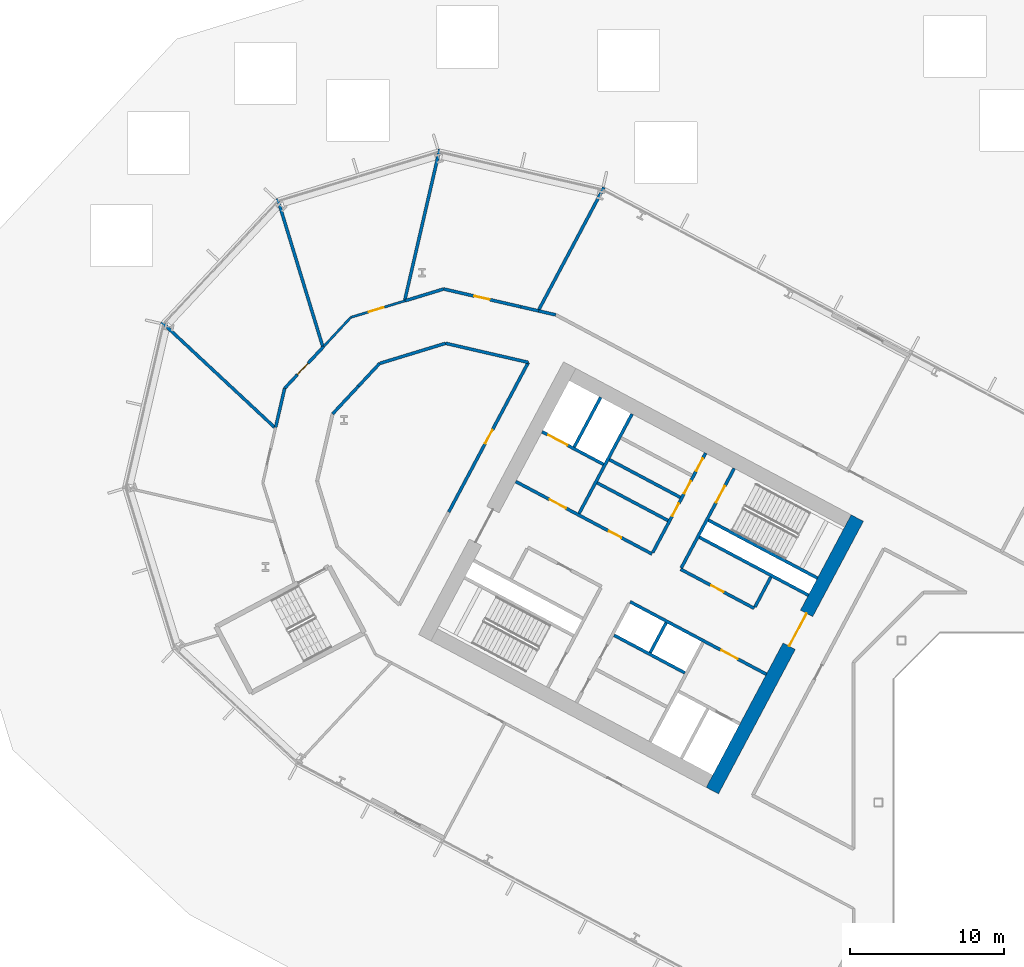
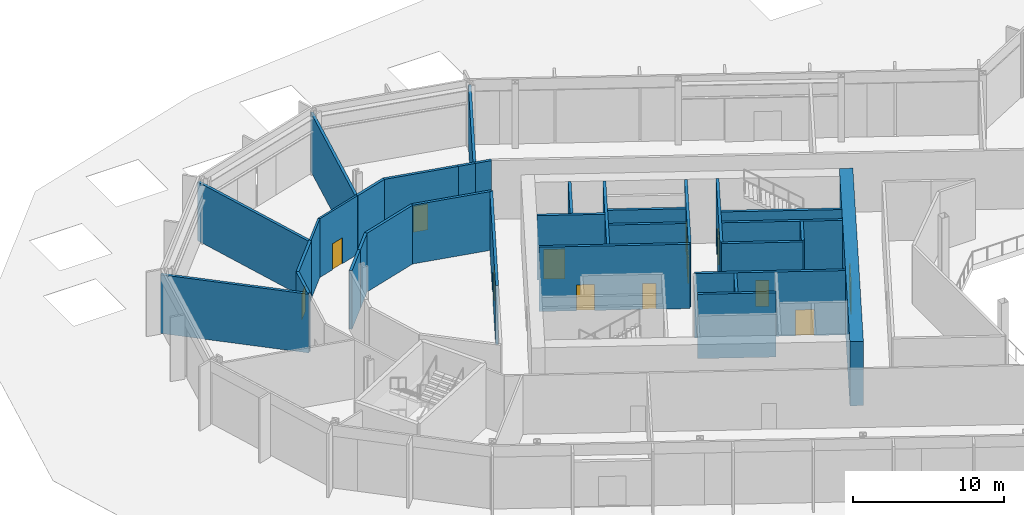
# One storey, part 13 of 30: 33 walls, 14 doors, 14 openings.
"""IFC4 building model written with IfcOpenShell, lengths in metres."""

from ifc_helpers import new_model, si_unit, direction, frame, frame_2d, origin, place, context, subcontext, project, spatial, rectangle, extrude, material, layer, layer_set, type_object, element, fill, save


model = new_model("IFC4")

# Units and contexts
model_context = context("Model", 3, precision=1e-05, world=origin(), true_north=direction((0.0, 1.0)))
body_context = subcontext(model_context, "Body", "Model", "MODEL_VIEW")
ifc_project = project(units=[si_unit("LENGTHUNIT", "METRE"), si_unit("AREAUNIT", "SQUARE_METRE"), si_unit("VOLUMEUNIT", "CUBIC_METRE"), si_unit("PLANEANGLEUNIT", "RADIAN"), si_unit("MASSUNIT", "GRAM", prefix="KILO")], contexts=[model_context])

# Site, building, storey
site_placement = place(None, origin())
site = spatial("IfcSite", under=ifc_project, at=site_placement, CompositionType="ELEMENT")
building_placement = place(site_placement, origin())
building = spatial("IfcBuilding", under=site, at=building_placement, Name="Cormorant Relay Tower", CompositionType="ELEMENT")
storey_placement = place(building_placement, frame((0.0, 0.0, 7.0)))
storey = spatial("IfcBuildingStorey", under=building, at=storey_placement, Name="L01", CompositionType="ELEMENT", Elevation=7.0)

# Walls
ifc_material_1 = material(Name="Concrete 40 MPa", Category="concrete")
ifc_layer_1 = layer(ifc_material_1, 0.199951171875)
ifc_layer_set_1 = layer_set([ifc_layer_1], Name="Core internal wall 200")
wall_type_1 = type_object("IfcWallType", Name="Core internal wall 200", PredefinedType="SOLIDWALL", material=ifc_layer_set_1)
wall_1_placement = place(storey_placement, frame((-25.744140625, 11.64990234375, 0.0), z_axis=(0.0, 0.0, 1.0), x_axis=(-0.469487830541, -0.882938942948, 0.0)))
element("IfcWall", 1, at=wall_1_placement, inside=storey, type_object=wall_type_1, Name="L01 core A shaft and room wall", PredefinedType="SOLIDWALL", context=body_context, shape_type="SweptSolid", body=[
    extrude(rectangle(XDim=2.2001953125, YDim=0.199951171875, at=frame_2d((1.10009765625, 0.0))), origin(), (0.0, 0.0, 1.0), 5.199951171875),
])
wall_2_placement = place(storey_placement, frame((-24.824951171875, 19.7685546875, 0.0), z_axis=(0.0, 0.0, 1.0), x_axis=(-0.882934506056, 0.469496174655, 0.0)))
element("IfcWall", 2, at=wall_2_placement, inside=storey, type_object=wall_type_1, Name="L01 core A shaft and room wall", PredefinedType="SOLIDWALL", context=body_context, shape_type="SweptSolid", body=[
    extrude(rectangle(XDim=5.199951171875, YDim=0.199951171875, at=frame_2d((2.60009765625, 0.0))), origin(), (0.0, 0.0, 1.0), 5.199951171875),
])
ifc_material_2 = material(Name="Concrete 50 MPa", Category="concrete")
ifc_layer_2 = layer(ifc_material_2, 0.199951171875)
ifc_layer_set_2 = layer_set([ifc_layer_2], Name="Core shaft wall 200")
wall_type_2 = type_object("IfcWallType", Name="Core shaft wall 200", PredefinedType="SHEAR", material=ifc_layer_set_2)
wall_3_placement = place(storey_placement, frame((-18.959716796875, 14.611328125, 0.0), z_axis=(0.0, 0.0, 1.0), x_axis=(-0.4694473164, -0.882960484464, 0.0)))
element("IfcWall", 3, at=wall_3_placement, inside=storey, type_object=wall_type_2, Name="L01 core A shaft wall", PredefinedType="SHEAR", context=body_context, shape_type="SweptSolid", body=[
    extrude(rectangle(XDim=2.199951171875, YDim=0.199951171875, at=frame_2d((1.10009765625, 0.0))), origin(), (0.0, 0.0, 1.0), 5.199951171875),
])

# Wall, opening, door
wall_4_placement = place(storey_placement, frame((-21.333251953125, 21.6494140625, 0.0), z_axis=(0.0, 0.0, 1.0), x_axis=(-0.469494272526, -0.882935517501, 0.0)))
wall_4 = element("IfcWall", 4, at=wall_4_placement, inside=storey, type_object=wall_type_2, Name="L01 core A shaft wall", PredefinedType="SHEAR", context=body_context, shape_type="SweptSolid", body=[
    extrude(rectangle(XDim=7.2998046875, YDim=0.199951171875, at=frame_2d((3.64990234375, 0.0))), origin(), (0.0, 0.0, 1.0), 5.199951171875),
])
opening_1_placement = place(wall_4_placement, frame((1.300048828125, 0.0, 0.0)))
opening_1 = element("IfcOpeningElement", 5, at=opening_1_placement, cuts=wall_4, Name="Opening CDB-014", PredefinedType="OPENING", context=body_context, shape_type="SweptSolid", body=[
    extrude(rectangle(XDim=1.199951171875, YDim=2.10009765625, at=frame_2d((0.60009765625, 1.050048828125))), frame((0.0, 0.10986328125, 0.0), z_axis=(0.0, -1.0, 0.0), x_axis=(1.0, 0.0, 0.0)), (0.0, 0.0, 1.0), 0.219970703125),
])
ifc_material_3 = material(Name="Steel fire door", Category="steel")
door_type_1 = type_object("IfcDoorType", Name="Core stair door 1200x2100", OperationType="SINGLE_SWING_LEFT", PredefinedType="DOOR", material=ifc_material_3)
door_1_placement = place(opening_1_placement, origin())
door_1 = element("IfcDoor", 6, at=door_1_placement, inside=storey, type_object=door_type_1, Name="Core stair door 1200x2100", OperationType="SINGLE_SWING_RIGHT", OverallHeight=2.10009765625, OverallWidth=1.199951171875, PredefinedType="DOOR", context=body_context, shape_type="SweptSolid", body=[
    extrude(rectangle(XDim=1.199951171875, YDim=2.10009765625, at=frame_2d((0.60009765625, 1.050048828125))), frame((0.0, 0.02490234375, 0.0), z_axis=(0.0, -1.0, 0.0), x_axis=(1.0, 0.0, 0.0)), (0.0, 0.0, 1.0), 0.050048828125),
])
fill(opening_1, door_1)

# Wall, openings, doors
wall_5_placement = place(storey_placement, frame((-23.1875, 22.635498046875, 0.0), z_axis=(0.0, 0.0, 1.0), x_axis=(-0.469454336211, -0.882956752176, 0.0)))
wall_5 = element("IfcWall", 7, at=wall_5_placement, inside=storey, type_object=wall_type_2, Name="L01 core A shaft wall", PredefinedType="SHEAR", context=body_context, shape_type="SweptSolid", body=[
    extrude(rectangle(XDim=7.300048828125, YDim=0.199951171875, at=frame_2d((3.64990234375, 0.0))), origin(), (0.0, 0.0, 1.0), 5.199951171875),
])
opening_2_placement = place(wall_5_placement, frame((0.39990234375, 0.0, 0.0)))
opening_2 = element("IfcOpeningElement", 8, at=opening_2_placement, cuts=wall_5, Name="Opening CDD-054", PredefinedType="OPENING", context=body_context, shape_type="SweptSolid", body=[
    extrude(rectangle(XDim=0.89990234375, YDim=2.10009765625, at=frame_2d((0.449951171875, 1.050048828125))), frame((0.0, 0.10986328125, 0.0), z_axis=(0.0, -1.0, 0.0), x_axis=(1.0, 0.0, 0.0)), (0.0, 0.0, 1.0), 0.219970703125),
])
opening_3_placement = place(wall_5_placement, frame((2.050048828125, 0.0, 0.0)))
opening_3 = element("IfcOpeningElement", 9, at=opening_3_placement, cuts=wall_5, Name="Opening CDD-055", PredefinedType="OPENING", context=body_context, shape_type="SweptSolid", body=[
    extrude(rectangle(XDim=0.89990234375, YDim=2.10009765625, at=frame_2d((0.449951171875, 1.050048828125))), frame((0.0, 0.10986328125, 0.0), z_axis=(0.0, -1.0, 0.0), x_axis=(1.0, 0.0, 0.0)), (0.0, 0.0, 1.0), 0.219970703125),
])
opening_4_placement = place(wall_5_placement, frame((3.699951171875, 0.0, 0.0)))
opening_4 = element("IfcOpeningElement", 10, at=opening_4_placement, cuts=wall_5, Name="Opening CDD-056", PredefinedType="OPENING", context=body_context, shape_type="SweptSolid", body=[
    extrude(rectangle(XDim=0.89990234375, YDim=2.10009765625, at=frame_2d((0.449951171875, 1.050048828125))), frame((0.0, 0.10986328125, 0.0), z_axis=(0.0, -1.0, 0.0), x_axis=(1.0, 0.0, 0.0)), (0.0, 0.0, 1.0), 0.219970703125),
])
ifc_material_4 = material(Name="Steel fire door", Category="steel")
door_type_2 = type_object("IfcDoorType", Name="Core room door 900x2100", OperationType="SINGLE_SWING_LEFT", PredefinedType="DOOR", material=ifc_material_4)
door_2_placement = place(opening_2_placement, origin())
door_2 = element("IfcDoor", 11, at=door_2_placement, inside=storey, type_object=door_type_2, Name="Core room door 900x2100", OperationType="SINGLE_SWING_LEFT", OverallHeight=2.10009765625, OverallWidth=0.89990234375, PredefinedType="DOOR", context=body_context, shape_type="SweptSolid", body=[
    extrude(rectangle(XDim=0.89990234375, YDim=2.10009765625, at=frame_2d((0.449951171875, 1.050048828125))), frame((0.0, 0.02490234375, 0.0), z_axis=(0.0, -1.0, 0.0), x_axis=(1.0, 0.0, 0.0)), (0.0, 0.0, 1.0), 0.050048828125),
])
fill(opening_2, door_2)
door_3_placement = place(opening_3_placement, origin())
door_3 = element("IfcDoor", 12, at=door_3_placement, inside=storey, type_object=door_type_2, Name="Core room door 900x2100", OperationType="SINGLE_SWING_LEFT", OverallHeight=2.10009765625, OverallWidth=0.89990234375, PredefinedType="DOOR", context=body_context, shape_type="SweptSolid", body=[
    extrude(rectangle(XDim=0.89990234375, YDim=2.10009765625, at=frame_2d((0.449951171875, 1.050048828125))), frame((0.0, 0.02490234375, 0.0), z_axis=(0.0, -1.0, 0.0), x_axis=(1.0, 0.0, 0.0)), (0.0, 0.0, 1.0), 0.050048828125),
])
fill(opening_3, door_3)
door_4_placement = place(opening_4_placement, frame((0.89990234375, 0.0, 0.0), z_axis=(0.0, 0.0, 1.0), x_axis=(-1.0, 0.0, 0.0)))
door_4 = element("IfcDoor", 13, at=door_4_placement, inside=storey, type_object=door_type_2, Name="Core room door 900x2100", OperationType="SINGLE_SWING_RIGHT", OverallHeight=2.10009765625, OverallWidth=0.89990234375, PredefinedType="DOOR", context=body_context, shape_type="SweptSolid", body=[
    extrude(rectangle(XDim=0.89990234375, YDim=2.10009765625, at=frame_2d((0.449951171875, 1.050048828125))), frame((0.0, 0.02490234375, 0.0), z_axis=(0.0, -1.0, 0.0), x_axis=(1.0, 0.0, 0.0)), (0.0, 0.0, 1.0), 0.050048828125),
])
fill(opening_4, door_4)

# Walls
wall_6_placement = place(storey_placement, frame((-27.955322265625, 25.170654296875, 0.0), z_axis=(0.0, 0.0, 1.0), x_axis=(-0.469480409012, -0.88294288918, 0.0)))
element("IfcWall", 14, at=wall_6_placement, inside=storey, type_object=wall_type_2, Name="L01 core A shaft wall", PredefinedType="SHEAR", context=body_context, shape_type="SweptSolid", body=[
    extrude(rectangle(XDim=7.300048828125, YDim=0.199951171875, at=frame_2d((3.64990234375, 0.0))), origin(), (0.0, 0.0, 1.0), 5.199951171875),
])
wall_7_placement = place(storey_placement, frame((-29.986083984375, 26.250244140625, 0.0), z_axis=(0.0, 0.0, 1.0), x_axis=(-0.469494272526, -0.882935517501, 0.0)))
element("IfcWall", 15, at=wall_7_placement, inside=storey, type_object=wall_type_2, Name="L01 core A shaft wall", PredefinedType="SHEAR", context=body_context, shape_type="SweptSolid", body=[
    extrude(rectangle(XDim=3.64990234375, YDim=0.199951171875, at=frame_2d((1.824951171875, 0.0))), origin(), (0.0, 0.0, 1.0), 5.199951171875),
])
wall_8_placement = place(storey_placement, frame((-15.94189453125, 14.53564453125, 0.0), z_axis=(0.0, 0.0, 1.0), x_axis=(-0.882946947542, 0.469472776449, 0.0)))
element("IfcWall", 16, at=wall_8_placement, inside=storey, type_object=wall_type_2, Name="L01 core A shaft wall", PredefinedType="SHEAR", context=body_context, shape_type="SweptSolid", body=[
    extrude(rectangle(XDim=8.000244140625, YDim=0.199951171875, at=frame_2d((4.0, 0.0))), origin(), (0.0, 0.0, 1.0), 5.199951171875),
])

# Wall, opening, door
wall_9_placement = place(storey_placement, frame((-29.80419921875, 21.906494140625, 0.0), z_axis=(0.0, 0.0, 1.0), x_axis=(-0.882960433586, 0.469447412093, 0.0)))
wall_9 = element("IfcWall", 17, at=wall_9_placement, inside=storey, type_object=wall_type_2, Name="L01 core A shaft wall", PredefinedType="SHEAR", context=body_context, shape_type="SweptSolid", body=[
    extrude(rectangle(XDim=4.5, YDim=0.199951171875, at=frame_2d((2.25, 0.0))), origin(), (0.0, 0.0, 1.0), 5.199951171875),
])
opening_5_placement = place(wall_9_placement, frame((2.64990234375, 0.0, 0.0)))
opening_5 = element("IfcOpeningElement", 18, at=opening_5_placement, cuts=wall_9, Name="Opening LD3-005", PredefinedType="OPENING", context=body_context, shape_type="SweptSolid", body=[
    extrude(rectangle(XDim=1.39990234375, YDim=2.39990234375, at=frame_2d((0.699951171875, 1.199951171875))), frame((0.0, 0.10986328125, 0.0), z_axis=(0.0, -1.0, 0.0), x_axis=(1.0, 0.0, 0.0)), (0.0, 0.0, 1.0), 0.219970703125),
])
ifc_material_5 = material(Name="Stainless steel 316", Category="steel")
door_type_3 = type_object("IfcDoorType", Name="Lift landing door 1400x2400", OperationType="DOUBLE_DOOR_SLIDING", PredefinedType="DOOR", material=ifc_material_5)
door_5_placement = place(opening_5_placement, origin())
door_5 = element("IfcDoor", 19, at=door_5_placement, inside=storey, type_object=door_type_3, Name="SV1 landing door", OperationType="DOUBLE_DOOR_SLIDING", OverallHeight=2.39990234375, OverallWidth=1.39990234375, PredefinedType="DOOR", context=body_context, shape_type="SweptSolid", body=[
    extrude(rectangle(XDim=1.39990234375, YDim=2.39990234375, at=frame_2d((0.699951171875, 1.199951171875))), frame((0.0, 0.02490234375, 0.0), z_axis=(0.0, -1.0, 0.0), x_axis=(1.0, 0.0, 0.0)), (0.0, 0.0, 1.0), 0.050048828125),
])
fill(opening_5, door_5)

# Walls
wall_10_placement = place(storey_placement, frame((-16.52880859375, 13.43212890625, 0.0), z_axis=(0.0, 0.0, 1.0), x_axis=(-0.88295287151, 0.469461634952, 0.0)))
element("IfcWall", 20, at=wall_10_placement, inside=storey, type_object=wall_type_2, Name="L01 core A shaft wall", PredefinedType="SHEAR", context=body_context, shape_type="SweptSolid", body=[
    extrude(rectangle(XDim=7.999755859375, YDim=0.199951171875, at=frame_2d((4.0, 0.0))), origin(), (0.0, 0.0, 1.0), 5.199951171875),
])
wall_11_placement = place(storey_placement, frame((-25.623046875, 18.267578125, 0.0), z_axis=(0.0, 0.0, 1.0), x_axis=(-0.882953967957, 0.469459572775, 0.0)))
element("IfcWall", 21, at=wall_11_placement, inside=storey, type_object=wall_type_2, Name="L01 core A shaft wall", PredefinedType="SHEAR", context=body_context, shape_type="SweptSolid", body=[
    extrude(rectangle(XDim=5.199951171875, YDim=0.199951171875, at=frame_2d((2.60009765625, 0.0))), origin(), (0.0, 0.0, 1.0), 5.199951171875),
])

# Wall, opening, door
wall_12_placement = place(storey_placement, frame((-20.03955078125, 12.58056640625, 0.0), z_axis=(0.0, 0.0, 1.0), x_axis=(-0.882942972946, 0.469480251476, 0.0)))
wall_12 = element("IfcWall", 22, at=wall_12_placement, inside=storey, type_object=wall_type_2, Name="L01 core A shaft wall", PredefinedType="SHEAR", context=body_context, shape_type="SweptSolid", body=[
    extrude(rectangle(XDim=5.39990234375, YDim=0.199951171875, at=frame_2d((2.699951171875, 0.0))), origin(), (0.0, 0.0, 1.0), 5.199951171875),
])
opening_6_placement = place(wall_12_placement, frame((2.25, 0.0, 0.0)))
opening_6 = element("IfcOpeningElement", 23, at=opening_6_placement, cuts=wall_12, Name="Opening CDD-050", PredefinedType="OPENING", context=body_context, shape_type="SweptSolid", body=[
    extrude(rectangle(XDim=0.89990234375, YDim=2.10009765625, at=frame_2d((0.449951171875, 1.050048828125))), frame((0.0, 0.10986328125, 0.0), z_axis=(0.0, -1.0, 0.0), x_axis=(1.0, 0.0, 0.0)), (0.0, 0.0, 1.0), 0.219970703125),
])
door_6_placement = place(opening_6_placement, frame((0.89990234375, 0.0, 0.0), z_axis=(0.0, 0.0, 1.0), x_axis=(-1.0, 0.0, 0.0)))
door_6 = element("IfcDoor", 24, at=door_6_placement, inside=storey, type_object=door_type_2, Name="Core room door 900x2100", OperationType="SINGLE_SWING_RIGHT", OverallHeight=2.10009765625, OverallWidth=0.89990234375, PredefinedType="DOOR", context=body_context, shape_type="SweptSolid", body=[
    extrude(rectangle(XDim=0.89990234375, YDim=2.10009765625, at=frame_2d((0.449951171875, 1.050048828125))), frame((0.0, 0.02490234375, 0.0), z_axis=(0.0, -1.0, 0.0), x_axis=(1.0, 0.0, 0.0)), (0.0, 0.0, 1.0), 0.050048828125),
])
fill(opening_6, door_6)

# Wall, openings, doors
wall_13_placement = place(storey_placement, frame((-26.66162109375, 16.1015625, 0.0), z_axis=(0.0, 0.0, 1.0), x_axis=(-0.882940221191, 0.469485426614, 0.0)))
wall_13 = element("IfcWall", 25, at=wall_13_placement, inside=storey, type_object=wall_type_2, Name="L01 core A shaft wall", PredefinedType="SHEAR", context=body_context, shape_type="SweptSolid", body=[
    extrude(rectangle(XDim=10.0, YDim=0.199951171875, at=frame_2d((5.0, 0.0))), origin(), (0.0, 0.0, 1.0), 5.199951171875),
])
opening_7_placement = place(wall_13_placement, frame((6.300048828125, 0.0, 0.0)))
opening_7 = element("IfcOpeningElement", 26, at=opening_7_placement, cuts=wall_13, Name="Opening CDC-010", PredefinedType="OPENING", context=body_context, shape_type="SweptSolid", body=[
    extrude(rectangle(XDim=1.199951171875, YDim=2.10009765625, at=frame_2d((0.60009765625, 1.050048828125))), frame((0.0, 0.10986328125, 0.0), z_axis=(0.0, -1.0, 0.0), x_axis=(1.0, 0.0, 0.0)), (0.0, 0.0, 1.0), 0.219970703125),
])
opening_8_placement = place(wall_13_placement, frame((2.25, 0.0, 0.0)))
opening_8 = element("IfcOpeningElement", 27, at=opening_8_placement, cuts=wall_13, Name="Opening CDD-051", PredefinedType="OPENING", context=body_context, shape_type="SweptSolid", body=[
    extrude(rectangle(XDim=0.89990234375, YDim=2.10009765625, at=frame_2d((0.449951171875, 1.050048828125))), frame((0.0, 0.10986328125, 0.0), z_axis=(0.0, -1.0, 0.0), x_axis=(1.0, 0.0, 0.0)), (0.0, 0.0, 1.0), 0.219970703125),
])
ifc_material_6 = material(Name="Steel fire door", Category="steel")
door_type_4 = type_object("IfcDoorType", Name="Core lobby door 1200x2100", OperationType="SINGLE_SWING_LEFT", PredefinedType="DOOR", material=ifc_material_6)
door_7_placement = place(opening_7_placement, origin())
door_7 = element("IfcDoor", 28, at=door_7_placement, inside=storey, type_object=door_type_4, Name="Core lobby door 1200x2100", OperationType="SINGLE_SWING_LEFT", OverallHeight=2.10009765625, OverallWidth=1.199951171875, PredefinedType="DOOR", context=body_context, shape_type="SweptSolid", body=[
    extrude(rectangle(XDim=1.199951171875, YDim=2.10009765625, at=frame_2d((0.60009765625, 1.050048828125))), frame((0.0, 0.02490234375, 0.0), z_axis=(0.0, -1.0, 0.0), x_axis=(1.0, 0.0, 0.0)), (0.0, 0.0, 1.0), 0.050048828125),
])
fill(opening_7, door_7)
door_8_placement = place(opening_8_placement, frame((0.89990234375, 0.0, 0.0), z_axis=(0.0, 0.0, 1.0), x_axis=(-1.0, 0.0, 0.0)))
door_8 = element("IfcDoor", 29, at=door_8_placement, inside=storey, type_object=door_type_2, Name="Core room door 900x2100", OperationType="SINGLE_SWING_RIGHT", OverallHeight=2.10009765625, OverallWidth=0.89990234375, PredefinedType="DOOR", context=body_context, shape_type="SweptSolid", body=[
    extrude(rectangle(XDim=0.89990234375, YDim=2.10009765625, at=frame_2d((0.449951171875, 1.050048828125))), frame((0.0, 0.02490234375, 0.0), z_axis=(0.0, -1.0, 0.0), x_axis=(1.0, 0.0, 0.0)), (0.0, 0.0, 1.0), 0.050048828125),
])
fill(opening_8, door_8)

# Wall, opening, door
wall_14_placement = place(storey_placement, frame((-19.251708984375, 8.31103515625, 0.0), z_axis=(0.0, 0.0, 1.0), x_axis=(-0.882955722218, 0.469456273365, 0.0)))
wall_14 = element("IfcWall", 30, at=wall_14_placement, inside=storey, type_object=wall_type_2, Name="L01 core A shaft wall", PredefinedType="SHEAR", context=body_context, shape_type="SweptSolid", body=[
    extrude(rectangle(XDim=10.0, YDim=0.199951171875, at=frame_2d((5.0, 0.0))), origin(), (0.0, 0.0, 1.0), 5.199951171875),
])
opening_9_placement = place(wall_14_placement, frame((2.10009765625, 0.0, 0.0)))
opening_9 = element("IfcOpeningElement", 31, at=opening_9_placement, cuts=wall_14, Name="Opening CDC-009", PredefinedType="OPENING", context=body_context, shape_type="SweptSolid", body=[
    extrude(rectangle(XDim=1.199951171875, YDim=2.10009765625, at=frame_2d((0.60009765625, 1.050048828125))), frame((0.0, 0.10986328125, 0.0), z_axis=(0.0, -1.0, 0.0), x_axis=(1.0, 0.0, 0.0)), (0.0, 0.0, 1.0), 0.219970703125),
])
door_9_placement = place(opening_9_placement, origin())
door_9 = element("IfcDoor", 32, at=door_9_placement, inside=storey, type_object=door_type_4, Name="Core lobby door 1200x2100", OperationType="SINGLE_SWING_RIGHT", OverallHeight=2.10009765625, OverallWidth=1.199951171875, PredefinedType="DOOR", context=body_context, shape_type="SweptSolid", body=[
    extrude(rectangle(XDim=1.199951171875, YDim=2.10009765625, at=frame_2d((0.60009765625, 1.050048828125))), frame((0.0, 0.02490234375, 0.0), z_axis=(0.0, -1.0, 0.0), x_axis=(1.0, 0.0, 0.0)), (0.0, 0.0, 1.0), 0.050048828125),
])
fill(opening_9, door_9)

# Wall
wall_15_placement = place(storey_placement, frame((-24.5283203125, 8.3984375, 0.0), z_axis=(0.0, 0.0, 1.0), x_axis=(-0.882953967957, 0.469459572775, 0.0)))
element("IfcWall", 33, at=wall_15_placement, inside=storey, type_object=wall_type_2, Name="L01 core A shaft wall", PredefinedType="SHEAR", context=body_context, shape_type="SweptSolid", body=[
    extrude(rectangle(XDim=5.199951171875, YDim=0.199951171875, at=frame_2d((2.60009765625, 0.0))), origin(), (0.0, 0.0, 1.0), 5.199951171875),
])

# Wall, opening, door
ifc_material_7 = material(Name="Concrete 70 MPa", Category="concrete")
ifc_layer_3 = layer(ifc_material_7, 0.89990234375)
ifc_layer_set_3 = layer_set([ifc_layer_3], Name="Core wall 900")
wall_type_3 = type_object("IfcWallType", Name="Core wall 900", PredefinedType="SHEAR", material=ifc_layer_set_3)
wall_16_placement = place(storey_placement, frame((-13.361572265625, 18.43017578125, 0.0), z_axis=(0.0, 0.0, 1.0), x_axis=(-0.46947084998, -0.882947971864, 0.0)))
wall_16 = element("IfcWall", 34, at=wall_16_placement, inside=storey, type_object=wall_type_3, Name="L01 core A wall", PredefinedType="SHEAR", context=body_context, shape_type="SweptSolid", body=[
    extrude(rectangle(XDim=20.0, YDim=0.89990234375, at=frame_2d((10.0, 0.0))), origin(), (0.0, 0.0, 1.0), 5.199951171875),
])
opening_10_placement = place(wall_16_placement, frame((7.0, 0.0, 0.0)))
opening_10 = element("IfcOpeningElement", 35, at=opening_10_placement, cuts=wall_16, Name="Opening CDA-009", PredefinedType="OPENING", context=body_context, shape_type="SweptSolid", body=[
    extrude(rectangle(XDim=2.39990234375, YDim=2.39990234375, at=frame_2d((1.199951171875, 1.199951171875))), frame((0.0, 0.4599609375, 0.0), z_axis=(0.0, -1.0, 0.0), x_axis=(1.0, 0.0, 0.0)), (0.0, 0.0, 1.0), 0.919921875),
])
ifc_material_8 = material(Name="Steel fire door", Category="steel")
door_type_5 = type_object("IfcDoorType", Name="Core lobby door 2400x2400", OperationType="DOUBLE_DOOR_SINGLE_SWING", PredefinedType="DOOR", material=ifc_material_8)
door_10_placement = place(opening_10_placement, frame((2.39990234375, 0.0, 0.0), z_axis=(0.0, 0.0, 1.0), x_axis=(-1.0, 0.0, 0.0)))
door_10 = element("IfcDoor", 36, at=door_10_placement, inside=storey, type_object=door_type_5, Name="Core lobby door 2400x2400", OperationType="DOUBLE_DOOR_SINGLE_SWING", OverallHeight=2.39990234375, OverallWidth=2.39990234375, PredefinedType="DOOR", context=body_context, shape_type="SweptSolid", body=[
    extrude(rectangle(XDim=2.39990234375, YDim=2.39990234375, at=frame_2d((1.199951171875, 1.199951171875))), frame((0.0, 0.02490234375, 0.0), z_axis=(0.0, -1.0, 0.0), x_axis=(1.0, 0.0, 0.0)), (0.0, 0.0, 1.0), 0.050048828125),
])
fill(opening_10, door_10)

# Wall
ifc_material_9 = material(Name="Fire-rated gypsum board partition")
ifc_layer_4 = layer(ifc_material_9, 0.199951171875)
ifc_layer_set_4 = layer_set([ifc_layer_4], Name="Fire-rated gypsum partition 200")
wall_type_4 = type_object("IfcWallType", Name="Fire-rated gypsum partition 200", PredefinedType="PARTITIONING", material=ifc_layer_set_4)
wall_17_placement = place(storey_placement, frame((-58.427001953125, 31.125, 0.0), z_axis=(0.0, 0.0, 1.0), x_axis=(0.731473963822, -0.681869371838, 0.0)))
element("IfcWall", 37, at=wall_17_placement, inside=storey, type_object=wall_type_4, Name="wall/L01/part/2", PredefinedType="PARTITIONING", context=body_context, shape_type="SweptSolid", body=[
    extrude(rectangle(XDim=10.079833984375, YDim=0.199951171875, at=frame_2d((5.0400390625, 0.0))), origin(), (0.0, 0.0, 1.0), 4.75),
])

# Wall, opening, door
wall_18_placement = place(storey_placement, frame((-47.93310546875, 29.5380859375, 0.0), z_axis=(0.0, 0.0, 1.0), x_axis=(-0.682088017664, -0.731270084277, 0.0)))
wall_18 = element("IfcWall", 38, at=wall_18_placement, inside=storey, type_object=wall_type_4, Name="wall/L01/part/7", PredefinedType="PARTITIONING", context=body_context, shape_type="SweptSolid", body=[
    extrude(rectangle(XDim=3.703125, YDim=0.199951171875, at=frame_2d((1.8515625, 0.0))), origin(), (0.0, 0.0, 1.0), 4.75),
])
opening_11_placement = place(wall_18_placement, frame((1.486083984375, 0.0, 0.0)))
opening_11 = element("IfcOpeningElement", 39, at=opening_11_placement, cuts=wall_18, Name="Opening FD1-005", PredefinedType="OPENING", context=body_context, shape_type="SweptSolid", body=[
    extrude(rectangle(XDim=1.0, YDim=2.10009765625, at=frame_2d((0.5, 1.050048828125))), frame((0.0, 0.10986328125, 0.0), z_axis=(0.0, -1.0, 0.0), x_axis=(1.0, 0.0, 0.0)), (0.0, 0.0, 1.0), 0.219970703125),
])
ifc_material_10 = material(Name="Fire-rated steel door", Category="steel")
door_type_6 = type_object("IfcDoorType", Name="Fire door 1000 x 2100", OperationType="SINGLE_SWING_LEFT", PredefinedType="DOOR", material=ifc_material_10)
door_11_placement = place(opening_11_placement, frame((1.0, 0.0, 0.0), z_axis=(0.0, 0.0, 1.0), x_axis=(-1.0, 0.0, 0.0)))
door_11 = element("IfcDoor", 40, at=door_11_placement, inside=storey, type_object=door_type_6, Name="door/L01/16", OperationType="SINGLE_SWING_RIGHT", OverallHeight=2.10009765625, OverallWidth=1.0, PredefinedType="DOOR", context=body_context, shape_type="SweptSolid", body=[
    extrude(rectangle(XDim=1.0, YDim=2.10009765625, at=frame_2d((0.5, 1.050048828125))), frame((0.0, 0.02490234375, 0.0), z_axis=(0.0, -1.0, 0.0), x_axis=(1.0, 0.0, 0.0)), (0.0, 0.0, 1.0), 0.050048828125),
])
fill(opening_11, door_11)

# Walls
wall_19_placement = place(storey_placement, frame((-50.458984375, 26.830078125, 0.0), z_axis=(0.0, 0.0, 1.0), x_axis=(-0.225121568864, -0.974330682691, 0.0)))
element("IfcWall", 41, at=wall_19_placement, inside=storey, type_object=wall_type_4, Name="wall/L01/part/8", PredefinedType="PARTITIONING", context=body_context, shape_type="SweptSolid", body=[
    extrude(rectangle(XDim=2.58544921875, YDim=0.199951171875, at=frame_2d((1.292724609375, 0.0))), origin(), (0.0, 0.0, 1.0), 4.75),
])
wall_20_placement = place(storey_placement, frame((-50.922119140625, 39.133056640625, 0.0), z_axis=(0.0, 0.0, 1.0), x_axis=(0.292463432429, -0.956276707178, 0.0)))
element("IfcWall", 42, at=wall_20_placement, inside=storey, type_object=wall_type_4, Name="wall/L01/part/9", PredefinedType="PARTITIONING", context=body_context, shape_type="SweptSolid", body=[
    extrude(rectangle(XDim=10.079833984375, YDim=0.199951171875, at=frame_2d((5.0400390625, 0.0))), origin(), (0.0, 0.0, 1.0), 4.75),
])
wall_21_placement = place(storey_placement, frame((-47.35107421875, 25.177001953125, 0.0), z_axis=(0.0, 0.0, 1.0), x_axis=(0.681950982626, 0.731397878925, 0.0)))
element("IfcWall", 43, at=wall_21_placement, inside=storey, type_object=wall_type_4, Name="wall/L01/part/13", PredefinedType="PARTITIONING", context=body_context, shape_type="SweptSolid", body=[
    extrude(rectangle(XDim=2.4638671875, YDim=0.199951171875, at=frame_2d((1.23193359375, 0.0))), origin(), (0.0, 0.0, 1.0), 4.75),
])
wall_22_placement = place(storey_placement, frame((-40.033935546875, 29.7490234375, 0.0), z_axis=(0.0, 0.0, 1.0), x_axis=(-0.956357512161, -0.29219909126, 0.0)))
element("IfcWall", 44, at=wall_22_placement, inside=storey, type_object=wall_type_4, Name="wall/L01/part/19", PredefinedType="PARTITIONING", context=body_context, shape_type="SweptSolid", body=[
    extrude(rectangle(XDim=4.4658203125, YDim=0.199951171875, at=frame_2d((2.23291015625, 0.0))), origin(), (0.0, 0.0, 1.0), 4.75),
])
wall_23_placement = place(storey_placement, frame((-44.304931640625, 28.444091796875, 0.0), z_axis=(0.0, 0.0, 1.0), x_axis=(-0.681931663517, -0.731415891469, 0.0)))
element("IfcWall", 45, at=wall_23_placement, inside=storey, type_object=wall_type_4, Name="wall/L01/part/20", PredefinedType="PARTITIONING", context=body_context, shape_type="SweptSolid", body=[
    extrude(rectangle(XDim=2.003173828125, YDim=0.199951171875, at=frame_2d((1.00146484375, 0.0))), origin(), (0.0, 0.0, 1.0), 4.75),
])
wall_24_placement = place(storey_placement, frame((-40.4189453125, 42.31494140625, 0.0), z_axis=(0.0, 0.0, 1.0), x_axis=(-0.224924959868, -0.974376088802, 0.0)))
element("IfcWall", 46, at=wall_24_placement, inside=storey, type_object=wall_type_4, Name="wall/L01/part/25", PredefinedType="PARTITIONING", context=body_context, shape_type="SweptSolid", body=[
    extrude(rectangle(XDim=10.079345703125, YDim=0.199951171875, at=frame_2d((5.03955078125, 0.0))), origin(), (0.0, 0.0, 1.0), 4.75),
])
wall_25_placement = place(storey_placement, frame((-40.156005859375, 33.26708984375, 0.0), z_axis=(0.0, 0.0, 1.0), x_axis=(-0.956331245239, -0.292285048164, 0.0)))
element("IfcWall", 47, at=wall_25_placement, inside=storey, type_object=wall_type_4, Name="wall/L01/part/26", PredefinedType="PARTITIONING", context=body_context, shape_type="SweptSolid", body=[
    extrude(rectangle(XDim=2.611083984375, YDim=0.199951171875, at=frame_2d((1.3056640625, 0.0))), origin(), (0.0, 0.0, 1.0), 4.75),
])

# Wall, opening, door
wall_26_placement = place(storey_placement, frame((-40.156982421875, 33.26708984375, 0.0), z_axis=(0.0, 0.0, 1.0), x_axis=(0.974407195754, -0.224790161846, 0.0)))
wall_26 = element("IfcWall", 48, at=wall_26_placement, inside=storey, type_object=wall_type_4, Name="wall/L01/part/27", PredefinedType="PARTITIONING", context=body_context, shape_type="SweptSolid", body=[
    extrude(rectangle(XDim=5.142578125, YDim=0.199951171875, at=frame_2d((2.5712890625, 0.0))), origin(), (0.0, 0.0, 1.0), 4.75),
])
opening_12_placement = place(wall_26_placement, frame((2.050048828125, 0.0, 0.0)))
opening_12 = element("IfcOpeningElement", 49, at=opening_12_placement, cuts=wall_26, Name="Opening FD1-004", PredefinedType="OPENING", context=body_context, shape_type="SweptSolid", body=[
    extrude(rectangle(XDim=1.0, YDim=2.10009765625, at=frame_2d((0.5, 1.050048828125))), frame((0.0, 0.10986328125, 0.0), z_axis=(0.0, -1.0, 0.0), x_axis=(1.0, 0.0, 0.0)), (0.0, 0.0, 1.0), 0.219970703125),
])
door_12_placement = place(opening_12_placement, origin())
door_12 = element("IfcDoor", 50, at=door_12_placement, inside=storey, type_object=door_type_6, Name="door/L01/14", OperationType="SINGLE_SWING_RIGHT", OverallHeight=2.10009765625, OverallWidth=1.0, PredefinedType="DOOR", context=body_context, shape_type="SweptSolid", body=[
    extrude(rectangle(XDim=1.0, YDim=2.10009765625, at=frame_2d((0.5, 1.050048828125))), frame((0.0, 0.02490234375, 0.0), z_axis=(0.0, -1.0, 0.0), x_axis=(1.0, 0.0, 0.0)), (0.0, 0.0, 1.0), 0.050048828125),
])
fill(opening_12, door_12)

# Wall
wall_27_placement = place(storey_placement, frame((-34.673095703125, 28.511962890625, 0.0), z_axis=(0.0, 0.0, 1.0), x_axis=(-0.974393439342, 0.224849784003, 0.0)))
element("IfcWall", 51, at=wall_27_placement, inside=storey, type_object=wall_type_4, Name="wall/L01/part/29", PredefinedType="PARTITIONING", context=body_context, shape_type="SweptSolid", body=[
    extrude(rectangle(XDim=5.501708984375, YDim=0.199951171875, at=frame_2d((2.7509765625, 0.0))), origin(), (0.0, 0.0, 1.0), 4.75),
])

# Wall, opening, door
wall_28_placement = place(storey_placement, frame((-34.673095703125, 28.511962890625, 0.0), z_axis=(0.0, 0.0, 1.0), x_axis=(-0.469440333182, -0.882964197226, 0.0)))
wall_28 = element("IfcWall", 52, at=wall_28_placement, inside=storey, type_object=wall_type_4, Name="wall/L01/part/30", PredefinedType="PARTITIONING", context=body_context, shape_type="SweptSolid", body=[
    extrude(rectangle(XDim=10.9765625, YDim=0.199951171875, at=frame_2d((5.48828125, 0.0))), origin(), (0.0, 0.0, 1.0), 4.75),
])
opening_13_placement = place(wall_28_placement, frame((4.949951171875, 0.0, 0.0)))
opening_13 = element("IfcOpeningElement", 53, at=opening_13_placement, cuts=wall_28, Name="Opening FD1-001", PredefinedType="OPENING", context=body_context, shape_type="SweptSolid", body=[
    extrude(rectangle(XDim=1.0, YDim=2.10009765625, at=frame_2d((0.5, 1.050048828125))), frame((0.0, 0.10986328125, 0.0), z_axis=(0.0, -1.0, 0.0), x_axis=(1.0, 0.0, 0.0)), (0.0, 0.0, 1.0), 0.219970703125),
])
door_13_placement = place(opening_13_placement, frame((1.0, 0.0, 0.0), z_axis=(0.0, 0.0, 1.0), x_axis=(-1.0, 0.0, 0.0)))
door_13 = element("IfcDoor", 54, at=door_13_placement, inside=storey, type_object=door_type_6, Name="door/L01/1", OperationType="SINGLE_SWING_RIGHT", OverallHeight=2.10009765625, OverallWidth=1.0, PredefinedType="DOOR", context=body_context, shape_type="SweptSolid", body=[
    extrude(rectangle(XDim=1.0, YDim=2.10009765625, at=frame_2d((0.5, 1.050048828125))), frame((0.0, 0.02490234375, 0.0), z_axis=(0.0, -1.0, 0.0), x_axis=(1.0, 0.0, 0.0)), (0.0, 0.0, 1.0), 0.050048828125),
])
fill(opening_13, door_13)

# Walls
wall_29_placement = place(storey_placement, frame((-35.14599609375, 32.111083984375, 0.0), z_axis=(0.0, 0.0, 1.0), x_axis=(0.974164552701, -0.225839377125, 0.0)))
element("IfcWall", 55, at=wall_29_placement, inside=storey, type_object=wall_type_4, Name="wall/L01/part/31", PredefinedType="PARTITIONING", context=body_context, shape_type="SweptSolid", body=[
    extrude(rectangle(XDim=1.1826171875, YDim=0.199951171875, at=frame_2d((0.59130859375, 0.0))), origin(), (0.0, 0.0, 1.0), 4.75),
])
wall_30_placement = place(storey_placement, frame((-29.779052734375, 39.845947265625, 0.0), z_axis=(0.0, 0.0, 1.0), x_axis=(-0.469479235169, -0.882943513338, 0.0)))
element("IfcWall", 56, at=wall_30_placement, inside=storey, type_object=wall_type_4, Name="wall/L01/part/32", PredefinedType="PARTITIONING", context=body_context, shape_type="SweptSolid", body=[
    extrude(rectangle(XDim=9.052490234375, YDim=0.199951171875, at=frame_2d((4.5263671875, 0.0))), origin(), (0.0, 0.0, 1.0), 4.75),
])
wall_31_placement = place(storey_placement, frame((-32.89404296875, 31.590087890625, 0.0), z_axis=(0.0, 0.0, 1.0), x_axis=(-0.97437296606, 0.22493848717, 0.0)))
element("IfcWall", 57, at=wall_31_placement, inside=storey, type_object=wall_type_4, Name="wall/L01/part/33", PredefinedType="PARTITIONING", context=body_context, shape_type="SweptSolid", body=[
    extrude(rectangle(XDim=1.128662109375, YDim=0.199951171875, at=frame_2d((0.564453125, 0.0))), origin(), (0.0, 0.0, 1.0), 4.75),
])

# Wall, opening, door
ifc_material_11 = material(Name="Gypsum board partition")
ifc_layer_5 = layer(ifc_material_11, 0.14990234375)
ifc_layer_set_5 = layer_set([ifc_layer_5], Name="Gypsum board partition 150")
wall_type_5 = type_object("IfcWallType", Name="Gypsum board partition 150", PredefinedType="PARTITIONING", material=ifc_layer_set_5)
wall_32_placement = place(storey_placement, frame((-42.653076171875, 32.50390625, 0.0), z_axis=(0.0, 0.0, 1.0), x_axis=(-0.95632425254, -0.292307926687, 0.0)))
wall_32 = element("IfcWall", 58, at=wall_32_placement, inside=storey, type_object=wall_type_5, Name="wall/L01/part/17", PredefinedType="PARTITIONING", context=body_context, shape_type="SweptSolid", body=[
    extrude(rectangle(XDim=3.677490234375, YDim=0.14990234375, at=frame_2d((1.8388671875, 0.0))), origin(), (0.0, 0.0, 1.0), 4.75),
])
opening_14_placement = place(wall_32_placement, frame((1.4609375, 0.0, 0.0)))
opening_14 = element("IfcOpeningElement", 59, at=opening_14_placement, cuts=wall_32, Name="Opening D1-003", PredefinedType="OPENING", context=body_context, shape_type="SweptSolid", body=[
    extrude(rectangle(XDim=1.0, YDim=2.10009765625, at=frame_2d((0.5, 1.050048828125))), frame((0.0, 0.0849609375, 0.0), z_axis=(0.0, -1.0, 0.0), x_axis=(1.0, 0.0, 0.0)), (0.0, 0.0, 1.0), 0.169921875),
])
ifc_material_12 = material(Name="Painted steel door", Category="steel")
door_type_7 = type_object("IfcDoorType", Name="Single door 1000 x 2100", OperationType="SINGLE_SWING_LEFT", PredefinedType="DOOR", material=ifc_material_12)
door_14_placement = place(opening_14_placement, frame((1.0, 0.0, 0.0), z_axis=(0.0, 0.0, 1.0), x_axis=(-1.0, 0.0, 0.0)))
door_14 = element("IfcDoor", 60, at=door_14_placement, inside=storey, type_object=door_type_7, Name="door/L01/15", OperationType="SINGLE_SWING_RIGHT", OverallHeight=2.10009765625, OverallWidth=1.0, PredefinedType="DOOR", context=body_context, shape_type="SweptSolid", body=[
    extrude(rectangle(XDim=1.0, YDim=2.10009765625, at=frame_2d((0.5, 1.050048828125))), frame((0.0, 0.02490234375, 0.0), z_axis=(0.0, -1.0, 0.0), x_axis=(1.0, 0.0, 0.0)), (0.0, 0.0, 1.0), 0.050048828125),
])
fill(opening_14, door_14)

# Wall
wall_33_placement = place(storey_placement, frame((-46.169921875, 31.428955078125, 0.0), z_axis=(0.0, 0.0, 1.0), x_axis=(-0.68198172509, -0.731369213628, 0.0)))
element("IfcWall", 61, at=wall_33_placement, inside=storey, type_object=wall_type_5, Name="wall/L01/part/18", PredefinedType="PARTITIONING", context=body_context, shape_type="SweptSolid", body=[
    extrude(rectangle(XDim=2.58544921875, YDim=0.14990234375, at=frame_2d((1.292724609375, 0.0))), origin(), (0.0, 0.0, 1.0), 4.75),
])

save(model, "model.ifc")
